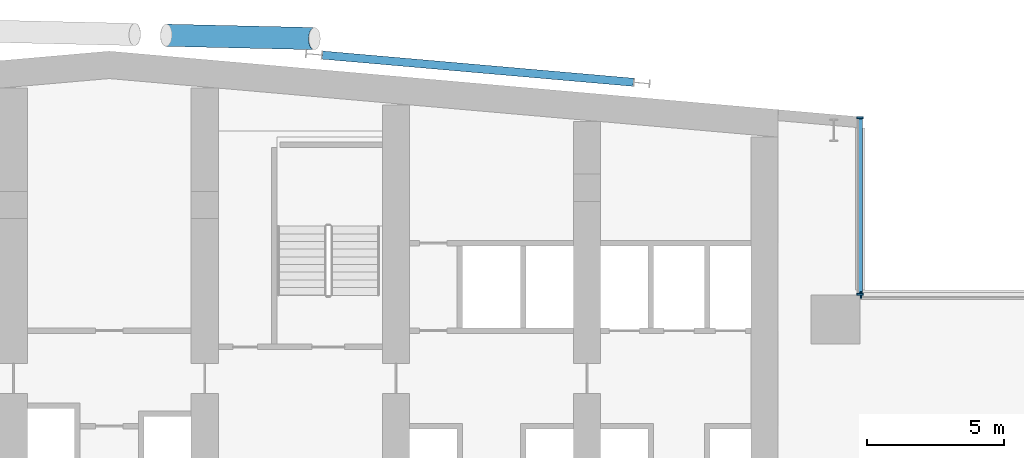
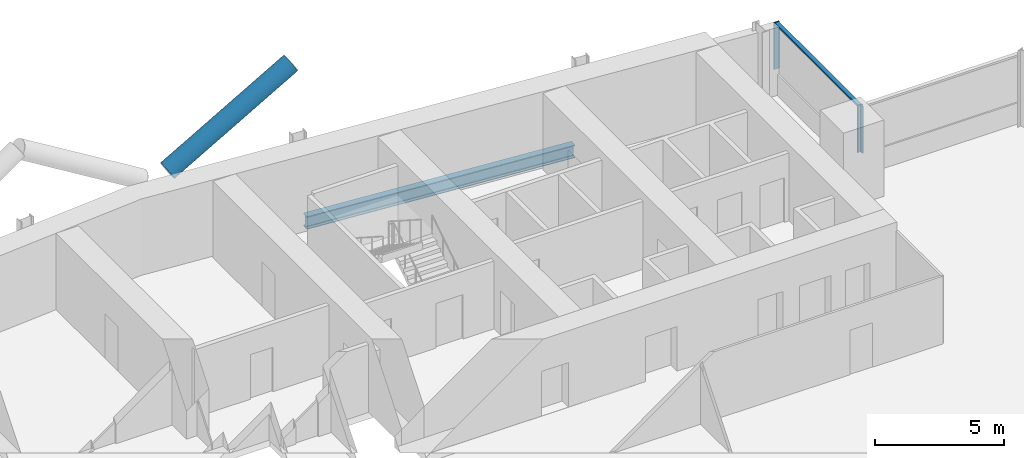
# One storey, part 9 of 28: 5 members, 1 beam, 2 elements without a shape of their own.
"""IFC4 building model written with IfcOpenShell, lengths in metres."""

from ifc_helpers import new_model, si_unit, direction, frame, origin, origin_2d, place, context, subcontext, project, spatial, rectangle, hollow_circle, i_section, extrude, material, material_profile, profile_set, type_object, element, aggregate, save


model = new_model("IFC4")

# Units and contexts
model_context = context("Model", 3, precision=1e-05, world=origin(), true_north=direction((0.0, 1.0)))
body_context = subcontext(model_context, "Body", "Model", "MODEL_VIEW")
ifc_project = project(units=[si_unit("LENGTHUNIT", "METRE"), si_unit("AREAUNIT", "SQUARE_METRE"), si_unit("VOLUMEUNIT", "CUBIC_METRE"), si_unit("PLANEANGLEUNIT", "RADIAN"), si_unit("MASSUNIT", "GRAM", prefix="KILO")], contexts=[model_context])

# Site, building, storey
site_placement = place(None, origin())
site = spatial("IfcSite", under=ifc_project, at=site_placement, CompositionType="ELEMENT")
building_placement = place(site_placement, origin())
building = spatial("IfcBuilding", under=site, at=building_placement, Name="Wharfspan Tower", CompositionType="ELEMENT")
storey_placement = place(building_placement, frame((0.0, 0.0, 132.699951)))
storey = spatial("IfcBuildingStorey", under=building, at=storey_placement, Name="L31", CompositionType="ELEMENT", Elevation=132.699951)

# Beam
ifc_material_1 = material(Name="Steel S355J2", Category="steel")
ifc_material_profile_1 = material_profile(ifc_material_1, i_section(OverallWidth=0.300049, OverallDepth=0.600098, WebThickness=0.015381, FlangeThickness=0.030029, FilletRadius=0.0271, at=origin_2d()))
ifc_profile_set_1 = profile_set([ifc_material_profile_1], Name="Steel S355J2")
beam_type = type_object("IfcBeamType", Name="Edge beam HEB 600", PredefinedType="SPANDREL", material=ifc_profile_set_1)
beam_placement = place(storey_placement, frame((59.695068, 49.791504, -0.699951), z_axis=(-0.996194, 0.087162, 0.0), x_axis=(-0.087162, -0.996194, 0.0)))
element("IfcBeam", 1, at=beam_placement, inside=storey, type_object=beam_type, Name="Edge beam N2 L31 R.4 to R.3", PredefinedType="SPANDREL", context=body_context, shape_type="SweptSolid", body=[
    extrude(i_section(OverallWidth=0.300049, OverallDepth=0.600098, WebThickness=0.015381, FlangeThickness=0.030029, FilletRadius=0.0271, at=origin_2d()), origin(), (0.0, 0.0, 1.0), 11.433594),
])

# Curtain wall, member
ifc_material_2 = material(Name="Aluminium 6063-T6", Category="aluminium")
curtain_wall_type = type_object("IfcCurtainWallType", Name="CURTAIN WALL PROW AND END", PredefinedType="NOTDEFINED", material=ifc_material_2)
curtain_wall_1_placement = place(storey_placement, origin())
curtain_wall_1 = element("IfcCurtainWall", 2, at=curtain_wall_1_placement, inside=storey, type_object=curtain_wall_type, Name="Curtain wall NRE-H", PredefinedType="NOTDEFINED")
ifc_material_profile_2 = material_profile(ifc_material_2, rectangle(XDim=0.23999, YDim=0.060059, at=origin_2d()))
ifc_profile_set_2 = profile_set([ifc_material_profile_2], Name="Aluminium 6063-T6")
member_type_1 = type_object("IfcMemberType", Name="MULLION PROW AND END 60x240", PredefinedType="MULLION", material=ifc_profile_set_2)
member_1_placement = place(storey_placement, frame((68.030029, 42.0, 1.0), z_axis=(0.0, 0.0, 1.0), x_axis=(0.0, -1.0, 0.0)))
member_1 = element("IfcMember", 3, at=member_1_placement, type_object=member_type_1, Name="Curtain wall NRE-H mullion 2", PredefinedType="MULLION", context=body_context, shape_type="SweptSolid", body=[
    extrude(rectangle(XDim=0.23999, YDim=0.060059, at=origin_2d()), origin(), (0.0, 0.0, 1.0), 2.199951),
])
aggregate(curtain_wall_1, [member_1])

# Curtain wall, members
curtain_wall_2_placement = place(storey_placement, origin())
curtain_wall_2 = element("IfcCurtainWall", 4, at=curtain_wall_2_placement, inside=storey, type_object=curtain_wall_type, Name="Curtain wall NRE-V", PredefinedType="NOTDEFINED")
member_2_placement = place(storey_placement, frame((68.0, 42.030029, 1.0), z_axis=(0.0, 0.0, 1.0), x_axis=(-1.0, 0.0, 0.0)))
member_2 = element("IfcMember", 5, at=member_2_placement, type_object=member_type_1, Name="Curtain wall NRE-V mullion 1", PredefinedType="MULLION", context=body_context, shape_type="SweptSolid", body=[
    extrude(rectangle(XDim=0.23999, YDim=0.060059, at=origin_2d()), origin(), (0.0, 0.0, 1.0), 2.199951),
])
member_3_placement = place(storey_placement, frame((68.0, 48.494873, 1.0), z_axis=(0.0, 0.0, 1.0), x_axis=(-1.0, 0.0, 0.0)))
member_3 = element("IfcMember", 6, at=member_3_placement, type_object=member_type_1, Name="Curtain wall NRE-V mullion 2", PredefinedType="MULLION", context=body_context, shape_type="SweptSolid", body=[
    extrude(rectangle(XDim=0.23999, YDim=0.060059, at=origin_2d()), origin(), (0.0, 0.0, 1.0), 2.199951),
])

# Member
ifc_material_3 = material(Name="Steel S460NH", Category="steel")
ifc_material_profile_3 = material_profile(ifc_material_3, hollow_circle(Radius=0.406494, WallThickness=0.040039, at=origin_2d()))
ifc_profile_set_3 = profile_set([ifc_material_profile_3], Name="Steel S460NH")
member_type_2 = type_object("IfcMemberType", Name="Mega brace CHS 813x40", PredefinedType="BRACE", material=ifc_profile_set_3)
member_4_placement = place(storey_placement, frame((42.590332, 51.514893, 3.246582), z_axis=(0.857327, -0.019686, 0.514396), x_axis=(0.022956, 0.999736, 0.0)))
element("IfcMember", 7, at=member_4_placement, inside=storey, type_object=member_type_2, Name="Mega brace N7 L31 part 2", PredefinedType="BRACE", context=body_context, shape_type="SweptSolid", body=[
    extrude(hollow_circle(Radius=0.406494, WallThickness=0.040039, at=origin_2d()), origin(), (0.0, 0.0, 1.0), 6.324707),
])

ifc_material_profile_4 = material_profile(ifc_material_2, rectangle(XDim=0.179932, YDim=0.080078, at=origin_2d()))
ifc_profile_set_4 = profile_set([ifc_material_profile_4], Name="Aluminium 6063-T6")
member_type_3 = type_object("IfcMemberType", Name="TRANSOM PROW AND END 80x180", PredefinedType="USERDEFINED", material=ifc_profile_set_4)
member_5_placement = place(storey_placement, frame((68.0, 42.060059, 3.160156), z_axis=(0.0, 1.0, 0.0), x_axis=(-1.0, 0.0, 0.0)))
member_5 = element("IfcMember", 8, at=member_5_placement, type_object=member_type_3, Name="Curtain wall NRE-V transom 1", ObjectType="TRANSOM", PredefinedType="USERDEFINED", context=body_context, shape_type="SweptSolid", body=[
    extrude(rectangle(XDim=0.179932, YDim=0.080078, at=origin_2d()), origin(), (0.0, 0.0, 1.0), 6.404785),
])

aggregate(curtain_wall_2, [member_2, member_3, member_5])

save(model, "model.ifc")
